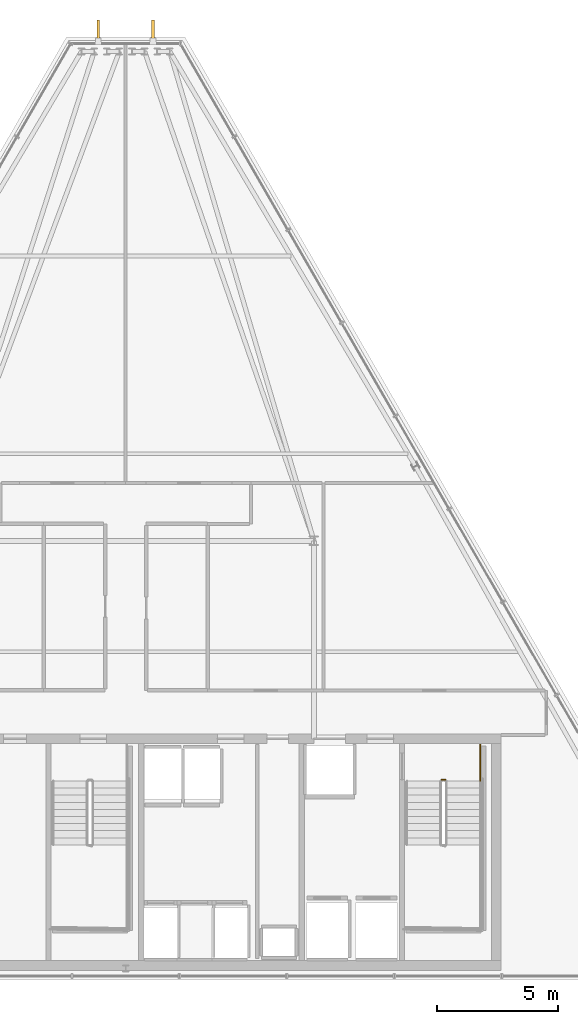
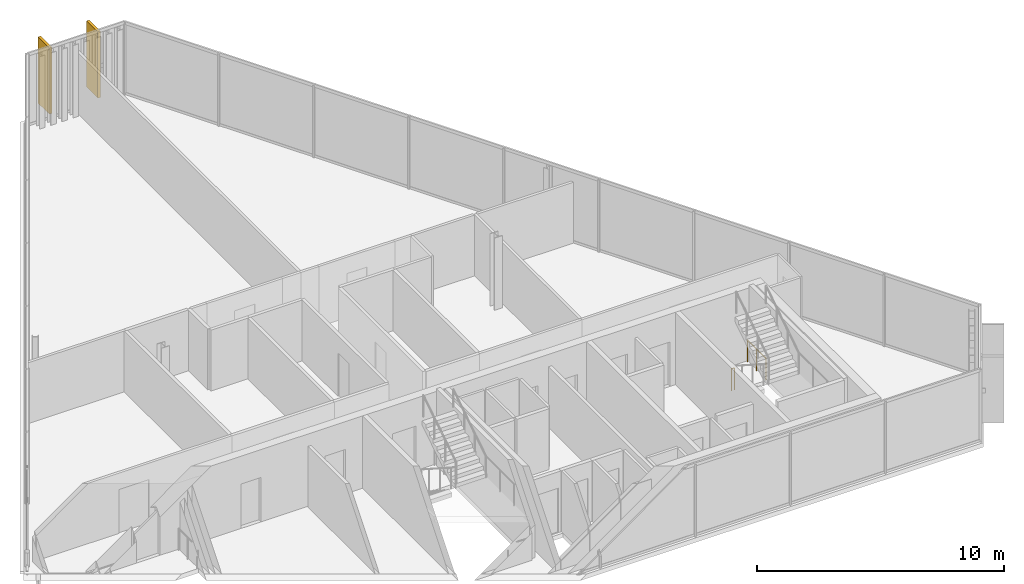
# One storey, part 32 of 32: 2 railings, 2 shading devices.
"""IFC4 building model written with IfcOpenShell, lengths in metres."""

from ifc_helpers import new_model, si_unit, direction, frame, origin, origin_2d, place, context, subcontext, project, spatial, rectangle, circle, extrude, material, layer, layer_set, type_object, element, save


model = new_model("IFC4")

# Units and contexts
model_context = context("Model", 3, precision=1e-05, world=origin(), true_north=direction((0.0, 1.0)))
body_context = subcontext(model_context, "Body", "Model", "MODEL_VIEW")
ifc_project = project(units=[si_unit("LENGTHUNIT", "METRE"), si_unit("AREAUNIT", "SQUARE_METRE"), si_unit("VOLUMEUNIT", "CUBIC_METRE"), si_unit("PLANEANGLEUNIT", "RADIAN"), si_unit("MASSUNIT", "GRAM", prefix="KILO")], contexts=[model_context])

# Site, building, storey
site_placement = place(None, origin())
site = spatial("IfcSite", under=ifc_project, at=site_placement, CompositionType="ELEMENT")
building_placement = place(site_placement, origin())
building = spatial("IfcBuilding", under=site, at=building_placement, Name="Ndaravel Arena Tower", CompositionType="ELEMENT")
storey_placement = place(building_placement, frame((0.0, 0.0, 283.300048828125)))
storey = spatial("IfcBuildingStorey", under=building, at=storey_placement, Name="L69", CompositionType="ELEMENT", Elevation=283.300048828125)

# Railings
ifc_material_1 = material(Name="Steel S355", Category="steel")
ifc_layer = layer(ifc_material_1, 0.06005859375)
ifc_layer_set = layer_set([ifc_layer], Name="Steel S355")
railing_type = type_object("IfcRailingType", Name="RAIL-STAIR-GD1100", PredefinedType="GUARDRAIL", material=ifc_layer_set)
railing_1_placement = place(storey_placement, frame((55.10009765625, 13.300048828125, 0.0)))
element("IfcRailing", 1, at=railing_1_placement, inside=storey, type_object=railing_type, Name="L69 ST-3 stair guard 4", PredefinedType="GUARDRAIL", context=body_context, shape_type="SweptSolid", body=[
    extrude(circle(Radius=0.02392578125, at=origin_2d()), frame((0.0, 0.0, 1.076171875), z_axis=(1.0, 0.0, 0.0), x_axis=(0.0, 1.0, 0.0)), (0.0, 0.0, 1.0), 0.139892578125),
    extrude(circle(Radius=0.02099609375, at=origin_2d()), origin(), (0.0, 0.0, 1.0), 1.052001953125),
    extrude(circle(Radius=0.02099609375, at=origin_2d()), frame((0.139892578125, 0.0, 0.0)), (0.0, 0.0, 1.0), 1.052001953125),
])
railing_2_placement = place(storey_placement, frame((56.68994140625, 14.75, 0.0)))
element("IfcRailing", 2, at=railing_2_placement, inside=storey, type_object=railing_type, Name="L69 ST-3 stair guard 5", PredefinedType="GUARDRAIL", context=body_context, shape_type="SweptSolid", body=[
    extrude(circle(Radius=0.02392578125, at=origin_2d()), frame((0.0, 0.0, 1.076171875), z_axis=(0.0, -1.0, 0.0), x_axis=(1.0, 0.0, 0.0)), (0.0, 0.0, 1.0), 1.5),
    extrude(circle(Radius=0.02099609375, at=origin_2d()), origin(), (0.0, 0.0, 1.0), 1.052001953125),
    extrude(circle(Radius=0.02099609375, at=origin_2d()), frame((0.0, -0.75, 0.0)), (0.0, 0.0, 1.0), 1.052001953125),
    extrude(circle(Radius=0.02099609375, at=origin_2d()), frame((0.0, -1.5, 0.0)), (0.0, 0.0, 1.0), 1.052001953125),
])

# Shading devices
ifc_material_2 = material(Name="Masonry", Category="masonry")
shading_device_type = type_object("IfcShadingDeviceType", Name="SHD-MAZERAS-FIN", PredefinedType="SHUTTER", material=ifc_material_2)
for number, where, z_axis, x_axis, name in (
    (3, (43.13623046875, 44.331787109375, 0.14990234375), (0.0, 0.0, 1.0), (0.0, 1.0, 0.0), "L69 Mazeras Stone Solar Fin E4.1"),
    (4, (40.86376953125, 44.331787109375, 0.14990234375), (0.0, 0.0, 1.0), (0.0, 1.0, 0.0), "L69 Mazeras Stone Solar Fin E4.2"),
):
    element("IfcShadingDevice", number, at=place(storey_placement, frame(where, z_axis=z_axis, x_axis=x_axis)), inside=storey, type_object=shading_device_type, Name=name, PredefinedType="SHUTTER", context=body_context, shape_type="SweptSolid", body=[
        extrude(rectangle(XDim=0.89990234375, YDim=0.1201171875, at=origin_2d()), origin(), (0.0, 0.0, 1.0), 3.280029296875),
    ])

save(model, "model.ifc")
